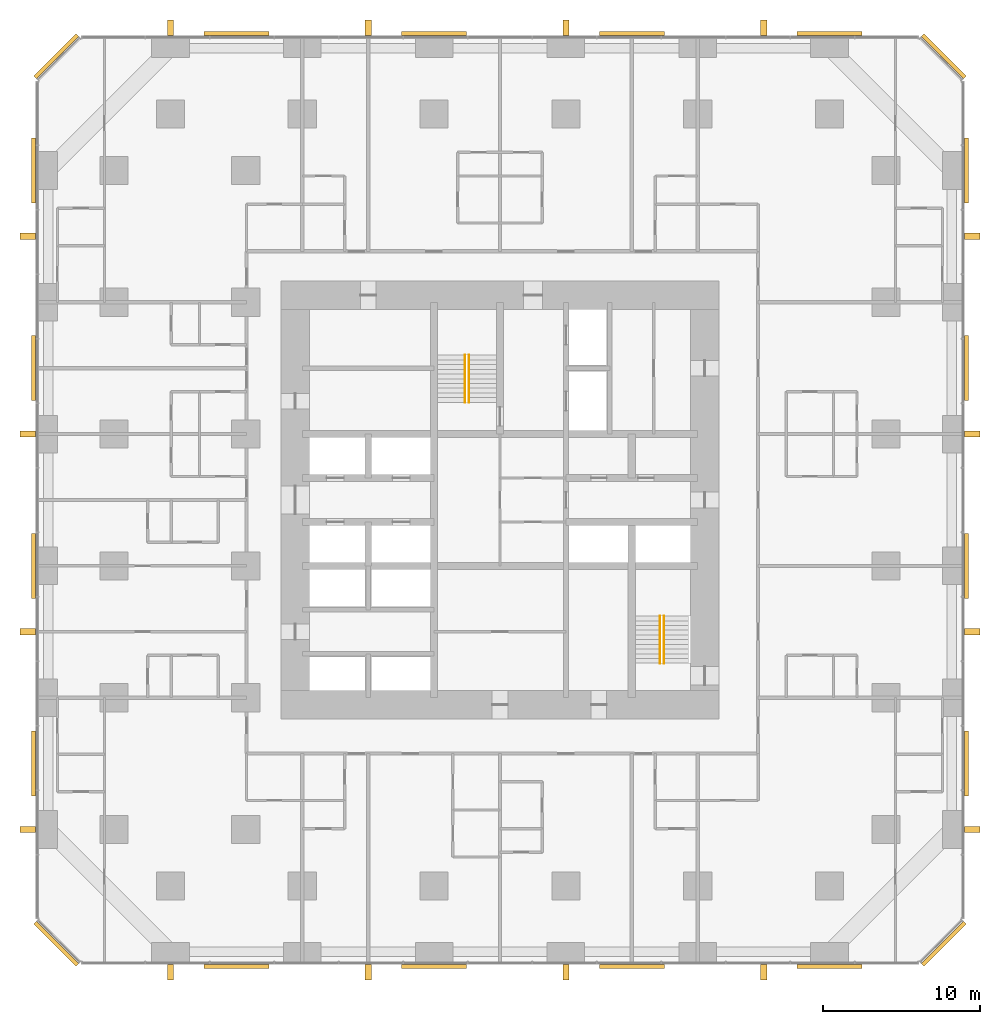
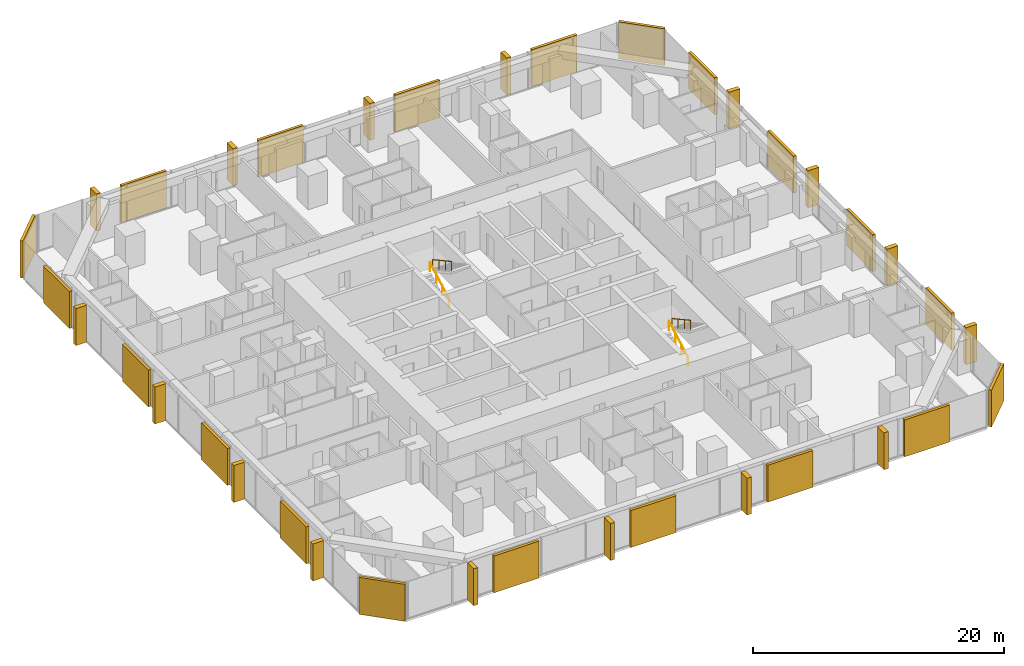
# One storey, part 17 of 17: 20 coverings, 16 shading devices, 4 railings.
"""IFC4 building model written with IfcOpenShell, lengths in metres."""

from ifc_helpers import new_model, si_unit, direction, frame, origin, origin_2d, place, context, subcontext, project, spatial, rectangle, circle, extrude, material, layer, layer_set, type_object, element, save


model = new_model("IFC4")

# Units and contexts
model_context = context("Model", 3, precision=1e-05, world=origin(), true_north=direction((0.0, 1.0)))
body_context = subcontext(model_context, "Body", "Model", "MODEL_VIEW")
ifc_project = project(units=[si_unit("LENGTHUNIT", "METRE"), si_unit("AREAUNIT", "SQUARE_METRE"), si_unit("VOLUMEUNIT", "CUBIC_METRE"), si_unit("PLANEANGLEUNIT", "RADIAN"), si_unit("MASSUNIT", "GRAM", prefix="KILO")], contexts=[model_context])

# Site, building, storey
site_placement = place(None, origin())
site = spatial("IfcSite", under=ifc_project, at=site_placement, CompositionType="ELEMENT")
building_placement = place(site_placement, origin())
building = spatial("IfcBuilding", under=site, at=building_placement, Name="Dunama Terrace Hotel", CompositionType="ELEMENT")
storey_placement = place(building_placement, frame((0.0, 0.0, 34.199951171875)))
storey = spatial("IfcBuildingStorey", under=building, at=storey_placement, Name="L07", CompositionType="ELEMENT", Elevation=34.199951171875)

# Railings
ifc_material_1 = material(Name="Stainless steel handrail", Category="steel")
railing_type = type_object("IfcRailingType", Name="Stair handrail 900", PredefinedType="HANDRAIL", material=ifc_material_1)
railing_1_placement = place(storey_placement, frame((27.175048828125, 35.625, 0.16357421875)))
element("IfcRailing", 1, at=railing_1_placement, inside=storey, type_object=railing_type, Name="Handrail ST1 L07", PredefinedType="HANDRAIL", context=body_context, shape_type="SweptSolid", body=[
    extrude(circle(Radius=0.02392578125, at=origin_2d()), frame((0.0, 0.0, 0.8759765625), z_axis=(0.0, 0.877881921179, 0.478877158013), x_axis=(-1.0, 0.0, 0.0)), (0.0, 0.0, 1.0), 3.417236328125),
    extrude(circle(Radius=0.02099609375, at=origin_2d()), origin(), (0.0, 0.0, 1.0), 0.851806640625),
    extrude(circle(Radius=0.02099609375, at=origin_2d()), frame((0.0, 1.0, 0.54541015625)), (0.0, 0.0, 1.0), 0.851806640625),
    extrude(circle(Radius=0.02099609375, at=origin_2d()), frame((0.0, 2.0, 1.091064453125)), (0.0, 0.0, 1.0), 0.851806640625),
    extrude(circle(Radius=0.02099609375, at=origin_2d()), frame((0.0, 3.0, 1.636474609375)), (0.0, 0.0, 1.0), 0.851806640625),
])
railing_2_placement = place(storey_placement, frame((27.425048828125, 38.625, 1.963623046875)))
element("IfcRailing", 2, at=railing_2_placement, inside=storey, type_object=railing_type, Name="Handrail ST1 L07", PredefinedType="HANDRAIL", context=body_context, shape_type="SweptSolid", body=[
    extrude(circle(Radius=0.02392578125, at=origin_2d()), frame((0.0, 0.0, 0.8759765625), z_axis=(0.0, -0.877881921179, 0.478877158013), x_axis=(1.0, 0.0, 0.0)), (0.0, 0.0, 1.0), 3.417236328125),
    extrude(circle(Radius=0.02099609375, at=origin_2d()), origin(), (0.0, 0.0, 1.0), 0.851806640625),
    extrude(circle(Radius=0.02099609375, at=origin_2d()), frame((0.0, -1.0, 0.54541015625)), (0.0, 0.0, 1.0), 0.851806640625),
    extrude(circle(Radius=0.02099609375, at=origin_2d()), frame((0.0, -2.0, 1.091064453125)), (0.0, 0.0, 1.0), 0.851806640625),
    extrude(circle(Radius=0.02099609375, at=origin_2d()), frame((0.0, -3.0, 1.636474609375)), (0.0, 0.0, 1.0), 0.851806640625),
])
railing_3_placement = place(storey_placement, frame((39.60009765625, 19.0, 0.16357421875)))
element("IfcRailing", 3, at=railing_3_placement, inside=storey, type_object=railing_type, Name="Handrail ST2 L07", PredefinedType="HANDRAIL", context=body_context, shape_type="SweptSolid", body=[
    extrude(circle(Radius=0.02392578125, at=origin_2d()), frame((0.0, 0.0, 0.8759765625), z_axis=(0.0, 0.877881921179, 0.478877158013), x_axis=(-1.0, 0.0, 0.0)), (0.0, 0.0, 1.0), 3.417236328125),
    extrude(circle(Radius=0.02099609375, at=origin_2d()), origin(), (0.0, 0.0, 1.0), 0.851806640625),
    extrude(circle(Radius=0.02099609375, at=origin_2d()), frame((0.0, 1.0, 0.54541015625)), (0.0, 0.0, 1.0), 0.851806640625),
    extrude(circle(Radius=0.02099609375, at=origin_2d()), frame((0.0, 2.0, 1.091064453125)), (0.0, 0.0, 1.0), 0.851806640625),
    extrude(circle(Radius=0.02099609375, at=origin_2d()), frame((0.0, 3.0, 1.636474609375)), (0.0, 0.0, 1.0), 0.851806640625),
])
railing_4_placement = place(storey_placement, frame((39.85009765625, 22.0, 1.963623046875)))
element("IfcRailing", 4, at=railing_4_placement, inside=storey, type_object=railing_type, Name="Handrail ST2 L07", PredefinedType="HANDRAIL", context=body_context, shape_type="SweptSolid", body=[
    extrude(circle(Radius=0.02392578125, at=origin_2d()), frame((0.0, 0.0, 0.8759765625), z_axis=(0.0, -0.877881921179, 0.478877158013), x_axis=(1.0, 0.0, 0.0)), (0.0, 0.0, 1.0), 3.417236328125),
    extrude(circle(Radius=0.02099609375, at=origin_2d()), origin(), (0.0, 0.0, 1.0), 0.851806640625),
    extrude(circle(Radius=0.02099609375, at=origin_2d()), frame((0.0, -1.0, 0.54541015625)), (0.0, 0.0, 1.0), 0.851806640625),
    extrude(circle(Radius=0.02099609375, at=origin_2d()), frame((0.0, -2.0, 1.091064453125)), (0.0, 0.0, 1.0), 0.851806640625),
    extrude(circle(Radius=0.02099609375, at=origin_2d()), frame((0.0, -3.0, 1.636474609375)), (0.0, 0.0, 1.0), 0.851806640625),
])

# Coverings
ifc_material_2 = material(Name="Warm reconstituted stone panel", Category="masonry")
ifc_layer_1 = layer(ifc_material_2, 0.25)
ifc_layer_set_1 = layer_set([ifc_layer_1], Name="Stone diagonal panel")
covering_type = type_object("IfcCoveringType", Name="Stone diagonal panel", PredefinedType="CLADDING", material=ifc_layer_set_1)
for number, where, z_axis, x_axis, name in (
    (5, (12.60009765625, -0.322998046875, 0.001953125), (0.0, 0.0, 1.0), (1.0, 0.0, 0.0), "Stone diagonal panel L07"),
    (6, (25.199951171875, -0.322998046875, 0.001953125), (0.0, 0.0, 1.0), (1.0, 0.0, 0.0), "Stone diagonal panel L07"),
    (7, (37.800048828125, -0.322998046875, 0.001953125), (0.0, 0.0, 1.0), (1.0, 0.0, 0.0), "Stone diagonal panel L07"),
    (8, (50.39990234375, -0.322998046875, 0.001953125), (0.0, 0.0, 1.0), (1.0, 0.0, 0.0), "Stone diagonal panel L07"),
):
    element("IfcCovering", number, at=place(storey_placement, frame(where, z_axis=z_axis, x_axis=x_axis)), inside=storey, type_object=covering_type, Name=name, PredefinedType="CLADDING", context=body_context, shape_type="SweptSolid", body=[
        extrude(rectangle(XDim=4.14990234375, YDim=0.25, at=origin_2d()), origin(), (0.0, 0.0, 1.0), 3.595947265625),
    ])
covering_1_placement = place(storey_placement, frame((57.678955078125, 1.12109375, 0.001953125), z_axis=(0.0, 0.0, 1.0), x_axis=(0.707106781187, 0.707106781187, 0.0)))
element("IfcCovering", 9, at=covering_1_placement, inside=storey, type_object=covering_type, Name="Stone diagonal panel L07", PredefinedType="CLADDING", context=body_context, shape_type="SweptSolid", body=[
    extrude(rectangle(XDim=3.808349609375, YDim=0.25, at=origin_2d()), origin(), (0.0, 0.0, 1.0), 3.595947265625),
])
for number, where, z_axis, x_axis, name in (
    (10, (59.123046875, 12.60009765625, 0.001953125), (0.0, 0.0, 1.0), (0.0, 1.0, 0.0), "Stone diagonal panel L07"),
    (11, (59.123046875, 25.199951171875, 0.001953125), (0.0, 0.0, 1.0), (0.0, 1.0, 0.0), "Stone diagonal panel L07"),
    (12, (59.123046875, 37.800048828125, 0.001953125), (0.0, 0.0, 1.0), (0.0, 1.0, 0.0), "Stone diagonal panel L07"),
    (13, (59.123046875, 50.39990234375, 0.001953125), (0.0, 0.0, 1.0), (0.0, 1.0, 0.0), "Stone diagonal panel L07"),
):
    element("IfcCovering", number, at=place(storey_placement, frame(where, z_axis=z_axis, x_axis=x_axis)), inside=storey, type_object=covering_type, Name=name, PredefinedType="CLADDING", context=body_context, shape_type="SweptSolid", body=[
        extrude(rectangle(XDim=4.14990234375, YDim=0.25, at=origin_2d()), origin(), (0.0, 0.0, 1.0), 3.595947265625),
    ])
covering_2_placement = place(storey_placement, frame((57.678955078125, 57.678955078125, 0.001953125), z_axis=(0.0, 0.0, 1.0), x_axis=(-0.707106781187, 0.707106781187, 0.0)))
element("IfcCovering", 14, at=covering_2_placement, inside=storey, type_object=covering_type, Name="Stone diagonal panel L07", PredefinedType="CLADDING", context=body_context, shape_type="SweptSolid", body=[
    extrude(rectangle(XDim=3.808349609375, YDim=0.25, at=origin_2d()), origin(), (0.0, 0.0, 1.0), 3.595947265625),
])
for number, where, z_axis, x_axis, name in (
    (15, (50.39990234375, 59.123046875, 0.001953125), (0.0, 0.0, 1.0), (-1.0, 0.0, 0.0), "Stone diagonal panel L07"),
    (16, (37.800048828125, 59.123046875, 0.001953125), (0.0, 0.0, 1.0), (-1.0, 0.0, 0.0), "Stone diagonal panel L07"),
    (17, (25.199951171875, 59.123046875, 0.001953125), (0.0, 0.0, 1.0), (-1.0, 0.0, 0.0), "Stone diagonal panel L07"),
    (18, (12.60009765625, 59.123046875, 0.001953125), (0.0, 0.0, 1.0), (-1.0, 0.0, 0.0), "Stone diagonal panel L07"),
):
    element("IfcCovering", number, at=place(storey_placement, frame(where, z_axis=z_axis, x_axis=x_axis)), inside=storey, type_object=covering_type, Name=name, PredefinedType="CLADDING", context=body_context, shape_type="SweptSolid", body=[
        extrude(rectangle(XDim=4.14990234375, YDim=0.25, at=origin_2d()), origin(), (0.0, 0.0, 1.0), 3.595947265625),
    ])
covering_3_placement = place(storey_placement, frame((1.12109375, 57.678955078125, 0.001953125), z_axis=(0.0, 0.0, 1.0), x_axis=(-0.707106781187, -0.707106781187, 0.0)))
element("IfcCovering", 19, at=covering_3_placement, inside=storey, type_object=covering_type, Name="Stone diagonal panel L07", PredefinedType="CLADDING", context=body_context, shape_type="SweptSolid", body=[
    extrude(rectangle(XDim=3.808349609375, YDim=0.25, at=origin_2d()), origin(), (0.0, 0.0, 1.0), 3.595947265625),
])
for number, where, z_axis, x_axis, name in (
    (20, (-0.322998046875, 50.39990234375, 0.001953125), (0.0, 0.0, 1.0), (0.0, -1.0, 0.0), "Stone diagonal panel L07"),
    (21, (-0.322998046875, 37.800048828125, 0.001953125), (0.0, 0.0, 1.0), (0.0, -1.0, 0.0), "Stone diagonal panel L07"),
    (22, (-0.322998046875, 25.199951171875, 0.001953125), (0.0, 0.0, 1.0), (0.0, -1.0, 0.0), "Stone diagonal panel L07"),
    (23, (-0.322998046875, 12.60009765625, 0.001953125), (0.0, 0.0, 1.0), (0.0, -1.0, 0.0), "Stone diagonal panel L07"),
):
    element("IfcCovering", number, at=place(storey_placement, frame(where, z_axis=z_axis, x_axis=x_axis)), inside=storey, type_object=covering_type, Name=name, PredefinedType="CLADDING", context=body_context, shape_type="SweptSolid", body=[
        extrude(rectangle(XDim=4.14990234375, YDim=0.25, at=origin_2d()), origin(), (0.0, 0.0, 1.0), 3.595947265625),
    ])
covering_4_placement = place(storey_placement, frame((1.12109375, 1.12109375, 0.001953125), z_axis=(0.0, 0.0, 1.0), x_axis=(0.707106781187, -0.707106781187, 0.0)))
element("IfcCovering", 24, at=covering_4_placement, inside=storey, type_object=covering_type, Name="Stone diagonal panel L07", PredefinedType="CLADDING", context=body_context, shape_type="SweptSolid", body=[
    extrude(rectangle(XDim=3.808349609375, YDim=0.25, at=origin_2d()), origin(), (0.0, 0.0, 1.0), 3.595947265625),
])

# Shading devices
ifc_material_3 = material(Name="Warm reconstituted stone fin", Category="masonry")
ifc_layer_2 = layer(ifc_material_3, 0.39990234375)
ifc_layer_set_2 = layer_set([ifc_layer_2], Name="Warm stone fin 400x1000")
shading_device_type = type_object("IfcShadingDeviceType", Name="Warm stone fin 400x1000", PredefinedType="USERDEFINED", material=ifc_layer_set_2)
for number, where, z_axis, x_axis, name in (
    (25, (8.39990234375, -0.68798828125, 0.0), (0.0, 0.0, 1.0), (1.0, 0.0, 0.0), "Stone fin"),
    (26, (21.0, -0.68798828125, 0.0), (0.0, 0.0, 1.0), (1.0, 0.0, 0.0), "Stone fin"),
    (27, (33.60009765625, -0.68798828125, 0.0), (0.0, 0.0, 1.0), (1.0, 0.0, 0.0), "Stone fin"),
    (28, (46.199951171875, -0.68798828125, 0.0), (0.0, 0.0, 1.0), (1.0, 0.0, 0.0), "Stone fin"),
    (29, (59.488037109375, 8.39990234375, 0.0), (0.0, 0.0, 1.0), (0.0, 1.0, 0.0), "Stone fin"),
    (30, (59.488037109375, 21.0, 0.0), (0.0, 0.0, 1.0), (0.0, 1.0, 0.0), "Stone fin"),
    (31, (59.488037109375, 33.60009765625, 0.0), (0.0, 0.0, 1.0), (0.0, 1.0, 0.0), "Stone fin"),
    (32, (59.488037109375, 46.199951171875, 0.0), (0.0, 0.0, 1.0), (0.0, 1.0, 0.0), "Stone fin"),
    (33, (46.199951171875, 59.488037109375, 0.0), (0.0, 0.0, 1.0), (-1.0, 0.0, 0.0), "Stone fin"),
    (34, (33.60009765625, 59.488037109375, 0.0), (0.0, 0.0, 1.0), (-1.0, 0.0, 0.0), "Stone fin"),
    (35, (21.0, 59.488037109375, 0.0), (0.0, 0.0, 1.0), (-1.0, 0.0, 0.0), "Stone fin"),
    (36, (8.39990234375, 59.488037109375, 0.0), (0.0, 0.0, 1.0), (-1.0, 0.0, 0.0), "Stone fin"),
    (37, (-0.68798828125, 46.199951171875, 0.0), (0.0, 0.0, 1.0), (0.0, -1.0, 0.0), "Stone fin"),
    (38, (-0.68798828125, 33.60009765625, 0.0), (0.0, 0.0, 1.0), (0.0, -1.0, 0.0), "Stone fin"),
    (39, (-0.68798828125, 21.0, 0.0), (0.0, 0.0, 1.0), (0.0, -1.0, 0.0), "Stone fin"),
    (40, (-0.68798828125, 8.39990234375, 0.0), (0.0, 0.0, 1.0), (0.0, -1.0, 0.0), "Stone fin"),
):
    element("IfcShadingDevice", number, at=place(storey_placement, frame(where, z_axis=z_axis, x_axis=x_axis)), inside=storey, type_object=shading_device_type, Name=name, ObjectType="FIN", PredefinedType="USERDEFINED", context=body_context, shape_type="SweptSolid", body=[
        extrude(rectangle(XDim=0.39990234375, YDim=1.0, at=origin_2d()), origin(), (0.0, 0.0, 1.0), 3.60009765625),
    ])

save(model, "model.ifc")
